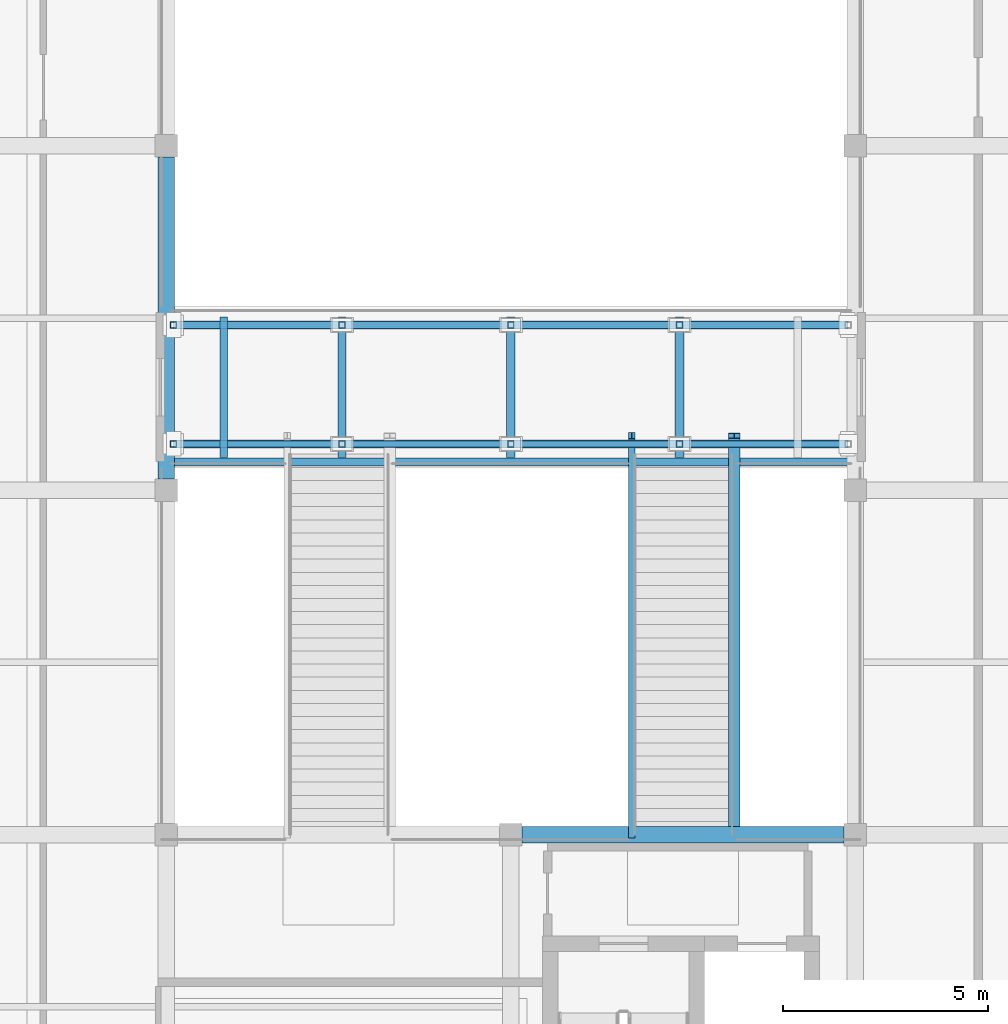
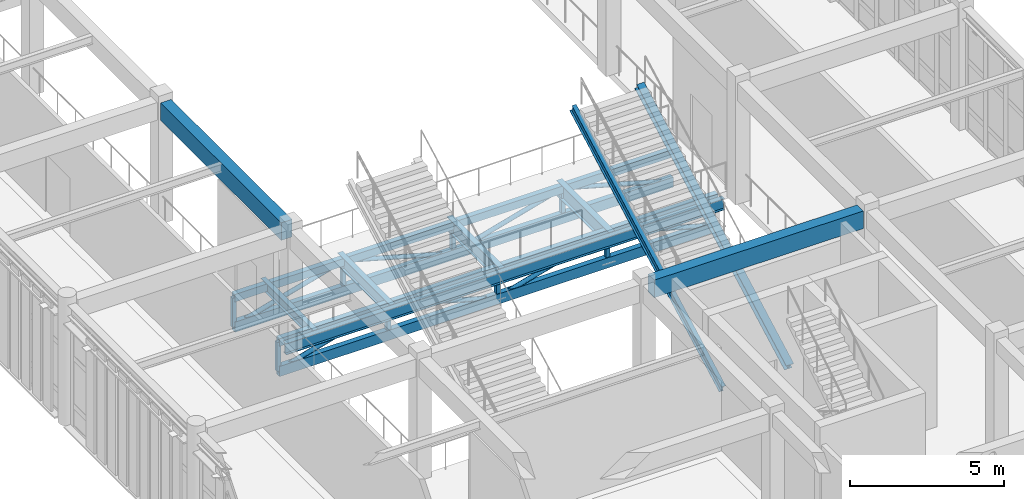
# One storey, part 19 of 93: 22 members, 7 beams.
"""IFC4 building model written with IfcOpenShell, lengths in metres."""

from ifc_helpers import new_model, si_unit, direction, frame, origin, origin_2d, place, context, subcontext, project, spatial, rectangle, hollow_rectangle, hollow_circle, i_section, extrude, material, material_profile, profile_set, type_object, element, save


model = new_model("IFC4")

# Units and contexts
model_context = context("Model", 3, precision=1e-05, world=origin(), true_north=direction((0.0, 1.0)))
body_context = subcontext(model_context, "Body", "Model", "MODEL_VIEW")
ifc_project = project(units=[si_unit("LENGTHUNIT", "METRE"), si_unit("AREAUNIT", "SQUARE_METRE"), si_unit("VOLUMEUNIT", "CUBIC_METRE"), si_unit("PLANEANGLEUNIT", "RADIAN"), si_unit("MASSUNIT", "GRAM", prefix="KILO")], contexts=[model_context])

# Site, building, storey
site_placement = place(None, origin())
site = spatial("IfcSite", under=ifc_project, at=site_placement, CompositionType="ELEMENT")
building_placement = place(site_placement, origin())
building = spatial("IfcBuilding", under=site, at=building_placement, Name="Krzemoval Escarpment Law Courts", CompositionType="ELEMENT")
storey_placement = place(building_placement, frame((0.0, 0.0, 10.199951171875)))
storey = spatial("IfcBuildingStorey", under=building, at=storey_placement, Name="L02", CompositionType="ELEMENT", Elevation=10.199951171875)

# Beams
ifc_material_1 = material(Name="Concrete C40/50", Category="concrete")
ifc_material_profile_1 = material_profile(ifc_material_1, rectangle(XDim=0.39990234375, YDim=0.699951171875, at=origin_2d()), Name="RCB 400x700")
ifc_profile_set_1 = profile_set([ifc_material_profile_1], Name="Concrete C40/50")
beam_type_1 = type_object("IfcBeamType", Name="BM-RC-400x700", PredefinedType="BEAM", material=ifc_profile_set_1)
beam_1_placement = place(storey_placement, frame((25.47509765625, 49.199951171875, 4.469970703125), z_axis=(1.0, 0.0, 0.0), x_axis=(0.0, 1.0, 0.0)))
element("IfcBeam", 1, at=beam_1_placement, inside=storey, type_object=beam_type_1, Name="Beam FG-L02-1790", PredefinedType="BEAM", context=body_context, shape_type="SweptSolid", body=[
    extrude(rectangle(XDim=0.39990234375, YDim=0.699951171875, at=origin_2d()), origin(), (0.0, 0.0, 1.0), 7.849853515625),
])
beam_2_placement = place(storey_placement, frame((16.800048828125, 57.875, 4.469970703125), z_axis=(0.0, 1.0, 0.0), x_axis=(-1.0, 0.0, 0.0)))
element("IfcBeam", 2, at=beam_2_placement, inside=storey, type_object=beam_type_1, Name="Beam FG-L02-1874", PredefinedType="BEAM", context=body_context, shape_type="SweptSolid", body=[
    extrude(rectangle(XDim=0.39990234375, YDim=0.699951171875, at=origin_2d()), origin(), (0.0, 0.0, 1.0), 7.85009765625),
])
ifc_material_2 = material(Name="Steel S355", Category="steel")
ifc_material_profile_2 = material_profile(ifc_material_2, i_section(OverallWidth=0.179931640625, OverallDepth=0.39990234375, WebThickness=0.008544921875, FlangeThickness=0.013427734375, at=origin_2d()), Name="IPE 400")
ifc_profile_set_2 = profile_set([ifc_material_profile_2], Name="Steel S355")
beam_type_2 = type_object("IfcBeamType", Name="BM-S355-IPE400", PredefinedType="BEAM", material=ifc_profile_set_2)
beam_3_placement = place(storey_placement, frame((18.199951171875, 58.39990234375, -0.5), z_axis=(0.0, 1.0, 0.0), x_axis=(-1.0, 0.0, 0.0)))
element("IfcBeam", 3, at=beam_3_placement, inside=storey, type_object=beam_type_2, Name="Bridge Cross Beam BBM-2836", PredefinedType="BEAM", context=body_context, shape_type="SweptSolid", body=[
    extrude(i_section(OverallWidth=0.179931640625, OverallDepth=0.39990234375, WebThickness=0.008544921875, FlangeThickness=0.013427734375, at=origin_2d()), origin(), (0.0, 0.0, 1.0), 3.43017578125),
])
ifc_material_3 = material(Name="Steel S355", Category="steel")
ifc_material_profile_3 = material_profile(ifc_material_3, i_section(OverallWidth=0.18994140625, OverallDepth=0.449951171875, WebThickness=0.009521484375, FlangeThickness=0.0146484375, at=origin_2d()), Name="IPE 450")
ifc_profile_set_3 = profile_set([ifc_material_profile_3], Name="Steel S355")
beam_type_3 = type_object("IfcBeamType", Name="BM-S355-IPE450", PredefinedType="BEAM", material=ifc_profile_set_3)
beam_4_placement = place(storey_placement, frame((16.969970703125, 58.2900390625, -0.52490234375), z_axis=(1.0, 0.0, 0.0), x_axis=(0.0, 1.0, 0.0)))
element("IfcBeam", 4, at=beam_4_placement, inside=storey, type_object=beam_type_3, Name="Sky-Bridge Stair Header Beam BSB-BRG-L02-1", PredefinedType="BEAM", context=body_context, shape_type="SweptSolid", body=[
    extrude(i_section(OverallWidth=0.18994140625, OverallDepth=0.449951171875, WebThickness=0.009521484375, FlangeThickness=0.0146484375, at=origin_2d()), origin(), (0.0, 0.0, 1.0), 16.4599609375),
])
ifc_material_4 = material(Name="Steel S355", Category="steel")
ifc_material_profile_4 = material_profile(ifc_material_4, i_section(OverallWidth=0.199951171875, OverallDepth=0.5, WebThickness=0.01025390625, FlangeThickness=0.01611328125, at=origin_2d()), Name="IPE 500")
ifc_profile_set_4 = profile_set([ifc_material_profile_4], Name="Steel S355")
beam_type_4 = type_object("IfcBeamType", Name="BM-S355-IPE500", PredefinedType="BEAM", material=ifc_profile_set_4)
beam_5_placement = place(storey_placement, frame((21.0849609375, 58.39990234375, -0.550048828125), z_axis=(0.0, 1.0, 0.0), x_axis=(-1.0, 0.0, 0.0)))
element("IfcBeam", 5, at=beam_5_placement, inside=storey, type_object=beam_type_4, Name="Bridge Cross Beam BBM-2837", PredefinedType="BEAM", context=body_context, shape_type="SweptSolid", body=[
    extrude(i_section(OverallWidth=0.199951171875, OverallDepth=0.5, WebThickness=0.01025390625, FlangeThickness=0.01611328125, at=origin_2d()), origin(), (0.0, 0.0, 1.0), 3.43017578125),
])
ifc_material_5 = material(Name="Steel S355", Category="steel")
ifc_material_profile_5 = material_profile(ifc_material_5, i_section(OverallWidth=0.2099609375, OverallDepth=0.550048828125, WebThickness=0.010986328125, FlangeThickness=0.01708984375, at=origin_2d()), Name="IPE 550")
ifc_profile_set_5 = profile_set([ifc_material_profile_5], Name="Steel S355")
beam_type_5 = type_object("IfcBeamType", Name="BM-S355-IPE550", PredefinedType="BEAM", material=ifc_profile_set_5)
beam_6_placement = place(storey_placement, frame((25.199951171875, 58.39990234375, -0.574951171875), z_axis=(0.0, 1.0, 0.0), x_axis=(-1.0, 0.0, 0.0)))
element("IfcBeam", 6, at=beam_6_placement, inside=storey, type_object=beam_type_5, Name="Bridge Cross Beam BBM-2838", PredefinedType="BEAM", context=body_context, shape_type="SweptSolid", body=[
    extrude(i_section(OverallWidth=0.2099609375, OverallDepth=0.550048828125, WebThickness=0.010986328125, FlangeThickness=0.01708984375, at=origin_2d()), origin(), (0.0, 0.0, 1.0), 3.43017578125),
])
ifc_material_6 = material(Name="Steel S355", Category="steel")
ifc_material_profile_6 = material_profile(ifc_material_6, i_section(OverallWidth=0.219970703125, OverallDepth=0.60009765625, WebThickness=0.011962890625, FlangeThickness=0.01904296875, at=origin_2d()), Name="IPE 600")
ifc_profile_set_6 = profile_set([ifc_material_profile_6], Name="Steel S355")
beam_type_6 = type_object("IfcBeamType", Name="BM-S355-IPE600", PredefinedType="BEAM", material=ifc_profile_set_6)
beam_7_placement = place(storey_placement, frame((29.31494140625, 58.39990234375, -0.599853515625), z_axis=(0.0, 1.0, 0.0), x_axis=(-1.0, 0.0, 0.0)))
element("IfcBeam", 7, at=beam_7_placement, inside=storey, type_object=beam_type_6, Name="Bridge Cross Beam BBM-2839", PredefinedType="BEAM", context=body_context, shape_type="SweptSolid", body=[
    extrude(i_section(OverallWidth=0.219970703125, OverallDepth=0.60009765625, WebThickness=0.011962890625, FlangeThickness=0.01904296875, at=origin_2d()), origin(), (0.0, 0.0, 1.0), 3.43017578125),
])

# Members
ifc_material_7 = material(Name="Steel S355", Category="steel")
ifc_material_profile_7 = material_profile(ifc_material_7, hollow_circle(Radius=0.084228515625, WallThickness=0.008056640625, at=origin_2d()), Name="CHS 168.3x8")
ifc_profile_set_7 = profile_set([ifc_material_profile_7], Name="Steel S355")
member_type_1 = type_object("IfcMemberType", Name="MBR-BRC-CHS168", PredefinedType="BRACE", material=ifc_profile_set_7)
for number, where, z_axis, x_axis, name in (
    (8, (16.969970703125, 58.72998046875, -1.669921875), (0.963103351061, 0.0, 0.269131817472), (0.0, 1.0, 0.0), "Bridge Truss Diagonal BBR-0119"),
    (9, (21.0849609375, 58.72998046875, -0.52001953125), (0.963103351061, 0.0, -0.269131817472), (0.0, 1.0, 0.0), "Bridge Truss Diagonal BBR-0120"),
    (10, (25.199951171875, 58.72998046875, -1.669921875), (0.963103351061, 0.0, 0.269131817472), (0.0, 1.0, 0.0), "Bridge Truss Diagonal BBR-0121"),
    (11, (29.31494140625, 58.72998046875, -0.52001953125), (0.963103351061, 0.0, -0.269131817472), (0.0, 1.0, 0.0), "Bridge Truss Diagonal BBR-0122"),
    (12, (16.969970703125, 61.6298828125, -1.669921875), (0.963103351061, 0.0, 0.269131817472), (0.0, 1.0, 0.0), "Bridge Truss Diagonal BBR-0130"),
    (13, (21.0849609375, 61.6298828125, -0.52001953125), (0.963103351061, 0.0, -0.269131817472), (0.0, 1.0, 0.0), "Bridge Truss Diagonal BBR-0131"),
    (14, (25.199951171875, 61.6298828125, -1.669921875), (0.963103351061, 0.0, 0.269131817472), (0.0, 1.0, 0.0), "Bridge Truss Diagonal BBR-0132"),
    (15, (29.31494140625, 61.6298828125, -0.52001953125), (0.963103351061, 0.0, -0.269131817472), (0.0, 1.0, 0.0), "Bridge Truss Diagonal BBR-0133"),
):
    element("IfcMember", number, at=place(storey_placement, frame(where, z_axis=z_axis, x_axis=x_axis)), inside=storey, type_object=member_type_1, Name=name, PredefinedType="BRACE", context=body_context, shape_type="SweptSolid", body=[
        extrude(hollow_circle(Radius=0.084228515625, WallThickness=0.008056640625, at=origin_2d()), origin(), (0.0, 0.0, 1.0), 4.272705078125),
    ])
ifc_material_8 = material(Name="Steel S355", Category="steel")
ifc_material_profile_8 = material_profile(ifc_material_8, hollow_rectangle(XDim=0.199951171875, YDim=0.300048828125, WallThickness=0.012451171875, at=origin_2d()), Name="RHS 300x200x12.5")
ifc_profile_set_8 = profile_set([ifc_material_profile_8], Name="Steel S355")
member_type_2 = type_object("IfcMemberType", Name="MBR-CHD-RHS300", PredefinedType="CHORD", material=ifc_profile_set_8)
for number, where, z_axis, x_axis, name in (
    (16, (16.969970703125, 58.72998046875, -0.52001953125), (1.0, 0.0, 0.0), (0.0, 1.0, 0.0), "Bridge Truss Chord BTC-0118"),
    (17, (16.969970703125, 61.6298828125, -0.52001953125), (1.0, 0.0, 0.0), (0.0, 1.0, 0.0), "Bridge Truss Chord BTC-0129"),
):
    element("IfcMember", number, at=place(storey_placement, frame(where, z_axis=z_axis, x_axis=x_axis)), inside=storey, type_object=member_type_2, Name=name, PredefinedType="CHORD", context=body_context, shape_type="SweptSolid", body=[
        extrude(hollow_rectangle(XDim=0.199951171875, YDim=0.300048828125, WallThickness=0.012451171875, at=origin_2d()), origin(), (0.0, 0.0, 1.0), 16.4599609375),
    ])
ifc_material_9 = material(Name="Steel S355", Category="steel")
ifc_material_profile_9 = material_profile(ifc_material_9, hollow_rectangle(XDim=0.199951171875, YDim=0.39990234375, WallThickness=0.012451171875, at=origin_2d()), Name="RHS 400x200x12.5")
ifc_profile_set_9 = profile_set([ifc_material_profile_9], Name="Steel S355")
member_type_3 = type_object("IfcMemberType", Name="MBR-CHD-RHS400", PredefinedType="CHORD", material=ifc_profile_set_9)
for number, where, z_axis, x_axis, name in (
    (18, (16.969970703125, 58.72998046875, -1.669921875), (1.0, 0.0, 0.0), (0.0, 1.0, 0.0), "Bridge Truss Chord BTC-0117"),
    (19, (16.969970703125, 61.6298828125, -1.669921875), (1.0, 0.0, 0.0), (0.0, 1.0, 0.0), "Bridge Truss Chord BTC-0128"),
):
    element("IfcMember", number, at=place(storey_placement, frame(where, z_axis=z_axis, x_axis=x_axis)), inside=storey, type_object=member_type_3, Name=name, PredefinedType="CHORD", context=body_context, shape_type="SweptSolid", body=[
        extrude(hollow_rectangle(XDim=0.199951171875, YDim=0.39990234375, WallThickness=0.012451171875, at=origin_2d()), origin(), (0.0, 0.0, 1.0), 16.4599609375),
    ])
ifc_material_10 = material(Name="Steel S355", Category="steel")
ifc_material_profile_10 = material_profile(ifc_material_10, i_section(OverallWidth=0.280029296875, OverallDepth=0.280029296875, WebThickness=0.010498046875, FlangeThickness=0.01806640625, at=origin_2d()), Name="HEB 280")
ifc_profile_set_10 = profile_set([ifc_material_profile_10], Name="Steel S355")
member_type_4 = type_object("IfcMemberType", Name="MBR-STG-HEB280", PredefinedType="STRINGER", material=ifc_profile_set_10)
member_1_placement = place(storey_placement, frame((30.64990234375, 49.199951171875, -0.550048828125), z_axis=(0.0, 0.879306595946, 0.476256139411), x_axis=(-1.0, 0.0, 0.0)))
element("IfcMember", 20, at=member_1_placement, inside=storey, type_object=member_type_4, Name="Stair Stringer STG-0282", PredefinedType="STRINGER", context=body_context, shape_type="SweptSolid", body=[
    extrude(i_section(OverallWidth=0.280029296875, OverallDepth=0.280029296875, WebThickness=0.010498046875, FlangeThickness=0.01806640625, at=origin_2d()), origin(), (0.0, 0.0, 1.0), 11.0654296875),
])
ifc_material_11 = material(Name="Steel S355", Category="steel")
ifc_material_profile_11 = material_profile(ifc_material_11, i_section(OverallWidth=0.159912109375, OverallDepth=0.330078125, WebThickness=0.007568359375, FlangeThickness=0.011474609375, at=origin_2d()), Name="IPE 330")
ifc_profile_set_11 = profile_set([ifc_material_profile_11], Name="Steel S355")
member_type_5 = type_object("IfcMemberType", Name="MBR-STG-IPE330", PredefinedType="STRINGER", material=ifc_profile_set_11)
member_2_placement = place(storey_placement, frame((28.14990234375, 49.199951171875, -0.550048828125), z_axis=(0.0, 0.879306595946, 0.476256139411), x_axis=(-1.0, 0.0, 0.0)))
element("IfcMember", 21, at=member_2_placement, inside=storey, type_object=member_type_5, Name="Stair Stringer STG-0281", PredefinedType="STRINGER", context=body_context, shape_type="SweptSolid", body=[
    extrude(i_section(OverallWidth=0.159912109375, OverallDepth=0.330078125, WebThickness=0.007568359375, FlangeThickness=0.011474609375, at=origin_2d()), origin(), (0.0, 0.0, 1.0), 11.0654296875),
])
ifc_material_12 = material(Name="Steel S355", Category="steel")
ifc_material_profile_12 = material_profile(ifc_material_12, hollow_rectangle(XDim=0.14990234375, YDim=0.14990234375, WallThickness=0.008056640625, at=origin_2d()), Name="SHS 150x150x8")
ifc_profile_set_12 = profile_set([ifc_material_profile_12], Name="Steel S355")
member_type_6 = type_object("IfcMemberType", Name="MBR-STR-SHS150", PredefinedType="STRUT", material=ifc_profile_set_12)
for number, where, z_axis, x_axis, name in (
    (22, (16.969970703125, 58.72998046875, -1.669921875), (0.0, 0.0, 1.0), (1.0, 0.0, 0.0), "Bridge Truss Strut BST-0123"),
    (23, (21.0849609375, 58.72998046875, -1.669921875), (0.0, 0.0, 1.0), (1.0, 0.0, 0.0), "Bridge Truss Strut BST-0124"),
    (24, (25.199951171875, 58.72998046875, -1.669921875), (0.0, 0.0, 1.0), (1.0, 0.0, 0.0), "Bridge Truss Strut BST-0125"),
    (25, (29.31494140625, 58.72998046875, -1.669921875), (0.0, 0.0, 1.0), (1.0, 0.0, 0.0), "Bridge Truss Strut BST-0126"),
    (26, (16.969970703125, 61.6298828125, -1.669921875), (0.0, 0.0, 1.0), (1.0, 0.0, 0.0), "Bridge Truss Strut BST-0134"),
    (27, (21.0849609375, 61.6298828125, -1.669921875), (0.0, 0.0, 1.0), (1.0, 0.0, 0.0), "Bridge Truss Strut BST-0135"),
    (28, (25.199951171875, 61.6298828125, -1.669921875), (0.0, 0.0, 1.0), (1.0, 0.0, 0.0), "Bridge Truss Strut BST-0136"),
    (29, (29.31494140625, 61.6298828125, -1.669921875), (0.0, 0.0, 1.0), (1.0, 0.0, 0.0), "Bridge Truss Strut BST-0137"),
):
    element("IfcMember", number, at=place(storey_placement, frame(where, z_axis=z_axis, x_axis=x_axis)), inside=storey, type_object=member_type_6, Name=name, PredefinedType="STRUT", context=body_context, shape_type="SweptSolid", body=[
        extrude(hollow_rectangle(XDim=0.14990234375, YDim=0.14990234375, WallThickness=0.008056640625, at=origin_2d()), origin(), (0.0, 0.0, 1.0), 1.14990234375),
    ])

save(model, "model.ifc")
